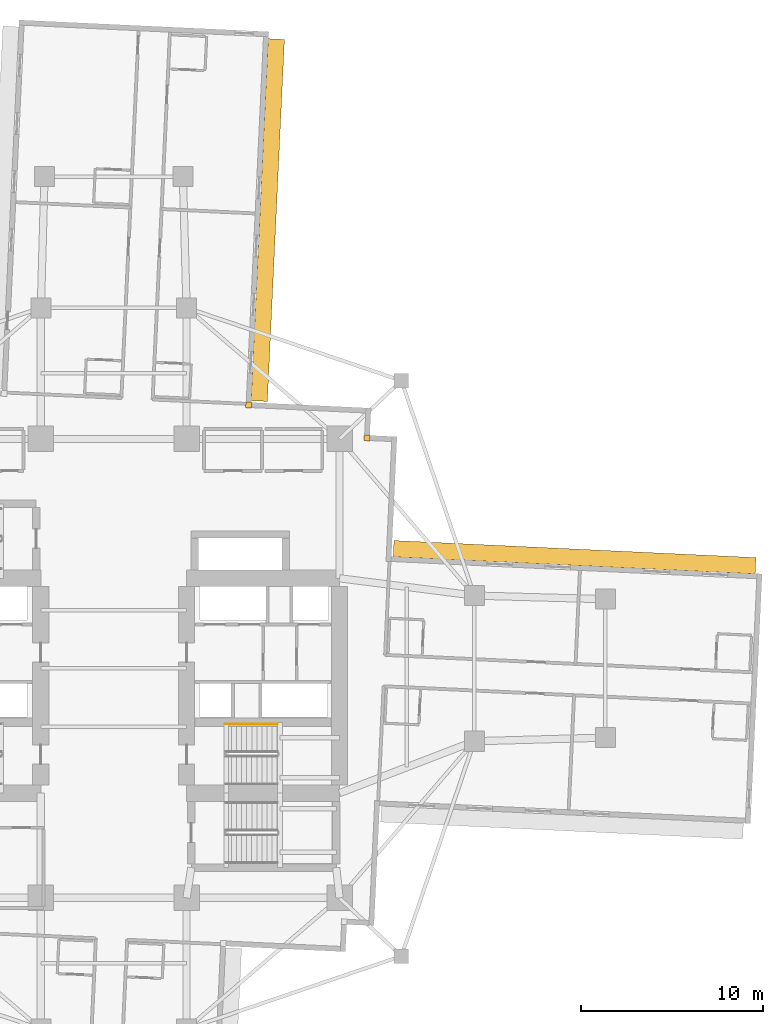
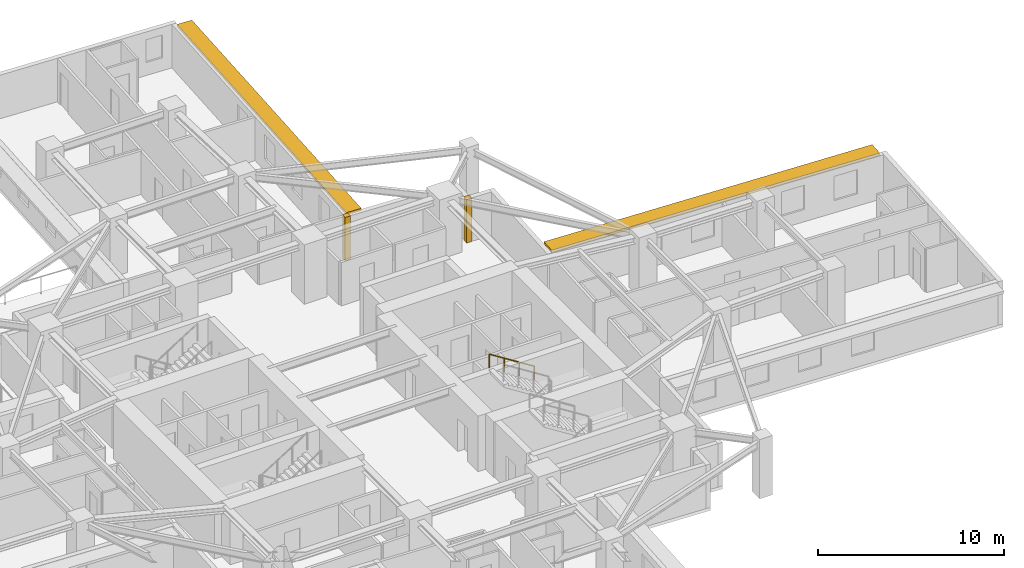
# One storey, part 13 of 13: 2 coverings, 2 shading devices, 1 railing.
"""IFC4 building model written with IfcOpenShell, lengths in metres."""

from ifc_helpers import new_model, si_unit, direction, frame, origin, origin_2d, place, context, subcontext, project, spatial, rectangle, circle, extrude, material, layer, layer_set, type_object, element, save


model = new_model("IFC4")

# Units and contexts
model_context = context("Model", 3, precision=1e-05, world=origin(), true_north=direction((0.0, 1.0)))
body_context = subcontext(model_context, "Body", "Model", "MODEL_VIEW")
ifc_project = project(units=[si_unit("LENGTHUNIT", "METRE"), si_unit("AREAUNIT", "SQUARE_METRE"), si_unit("VOLUMEUNIT", "CUBIC_METRE"), si_unit("PLANEANGLEUNIT", "RADIAN"), si_unit("MASSUNIT", "GRAM", prefix="KILO")], contexts=[model_context])

# Site, building, storey
site_placement = place(None, origin())
site = spatial("IfcSite", under=ifc_project, at=site_placement, CompositionType="ELEMENT")
building_placement = place(site_placement, origin())
building = spatial("IfcBuilding", under=site, at=building_placement, Name="Qingluan Cross Belvedere", CompositionType="ELEMENT")
storey_placement = place(building_placement, frame((0.0, 0.0, 91.199951171875)))
storey = spatial("IfcBuildingStorey", under=building, at=storey_placement, Name="L23", CompositionType="ELEMENT", Elevation=91.199951171875)

# Coverings
ifc_material_1 = material(Name="Precast concrete C45", Category="concrete")
ifc_layer_1 = layer(ifc_material_1, 0.1201171875, Name="ConcreteSpandrelCladding_120")
ifc_layer_set_1 = layer_set([ifc_layer_1], Name="Precast concrete C45")
covering_type = type_object("IfcCoveringType", Name="ConcreteSpandrelCladding_120", PredefinedType="CLADDING", material=ifc_layer_set_1)
for number, where, z_axis, x_axis, name in (
    (1, (13.911865234375, 12.65869140625, 0.0), (0.0, 0.0, 1.0), (0.998889874962, -0.04710645071, 0.0), "Corner closure L23-NE1"),
    (2, (7.40966796875, 14.467041015625, 0.0), (0.0, 0.0, 1.0), (0.998889874962, -0.04710645071, 0.0), "Corner closure L23-NE2"),
):
    element("IfcCovering", number, at=place(storey_placement, frame(where, z_axis=z_axis, x_axis=x_axis)), inside=storey, type_object=covering_type, Name=name, PredefinedType="CLADDING", context=body_context, shape_type="SweptSolid", body=[
        extrude(rectangle(XDim=0.320068359375, YDim=0.320068359375, at=origin_2d()), origin(), (0.0, 0.0, 1.0), 2.860107421875),
    ])

# Shading devices
ifc_material_2 = material(Name="Precast concrete C45", Category="concrete")
ifc_layer_2 = layer(ifc_material_2, 0.159912109375, Name="ConcreteSunshadeBand_900")
ifc_layer_set_2 = layer_set([ifc_layer_2], Name="Precast concrete C45")
shading_device_type = type_object("IfcShadingDeviceType", Name="ConcreteSunshadeBand_900", PredefinedType="USERDEFINED", material=ifc_layer_set_2)
for number, where, z_axis, x_axis, name in (
    (3, (25.3056640625, 6.104736328125, 2.68017578125), (0.0, 0.0, 1.0), (-0.998889735192, 0.04710941444, 0.0), "Concrete SUNSHADE L23-EB"),
    (4, (8.458984375, 24.618896484375, 2.68017578125), (0.0, 0.0, 1.0), (0.047104684445, 0.998889958255, 0.0), "Concrete SUNSHADE L23-NA"),
):
    element("IfcShadingDevice", number, at=place(storey_placement, frame(where, z_axis=z_axis, x_axis=x_axis)), inside=storey, type_object=shading_device_type, Name=name, ObjectType="SUNSHADE", PredefinedType="USERDEFINED", context=body_context, shape_type="SweptSolid", body=[
        extrude(rectangle(XDim=19.89990234375, YDim=0.89990234375, at=origin_2d()), origin(), (0.0, 0.0, 1.0), 0.159912109375),
    ])

# Railing
ifc_material_3 = material(Name="Brushed stainless steel tubular handrail", Category="steel")
railing_type = type_object("IfcRailingType", Name="StairPitchHandrail_900", PredefinedType="HANDRAIL", material=ifc_material_3)
railing_placement = place(storey_placement, frame((8.97998046875, -3.050048828125, 2.12744140625)))
element("IfcRailing", 5, at=railing_placement, inside=storey, type_object=railing_type, Name="L23 ST2 stair handrail 2", PredefinedType="HANDRAIL", context=body_context, shape_type="SweptSolid", body=[
    extrude(circle(Radius=0.02392578125, at=origin_2d()), frame((0.0, 0.0, 0.8759765625), z_axis=(-0.844908973607, 0.0, 0.534910110503), x_axis=(0.0, -1.0, 0.0)), (0.0, 0.0, 1.0), 3.31396484375),
    extrude(circle(Radius=0.02099609375, at=origin_2d()), origin(), (0.0, 0.0, 1.0), 0.851806640625),
    extrude(circle(Radius=0.02099609375, at=origin_2d()), frame((-0.933349609375, 0.0, 0.5908203125)), (0.0, 0.0, 1.0), 0.851806640625),
    extrude(circle(Radius=0.02099609375, at=origin_2d()), frame((-1.86669921875, 0.0, 1.181884765625)), (0.0, 0.0, 1.0), 0.851806640625),
    extrude(circle(Radius=0.02099609375, at=origin_2d()), frame((-2.800048828125, 0.0, 1.772705078125)), (0.0, 0.0, 1.0), 0.851806640625),
])

save(model, "model.ifc")
